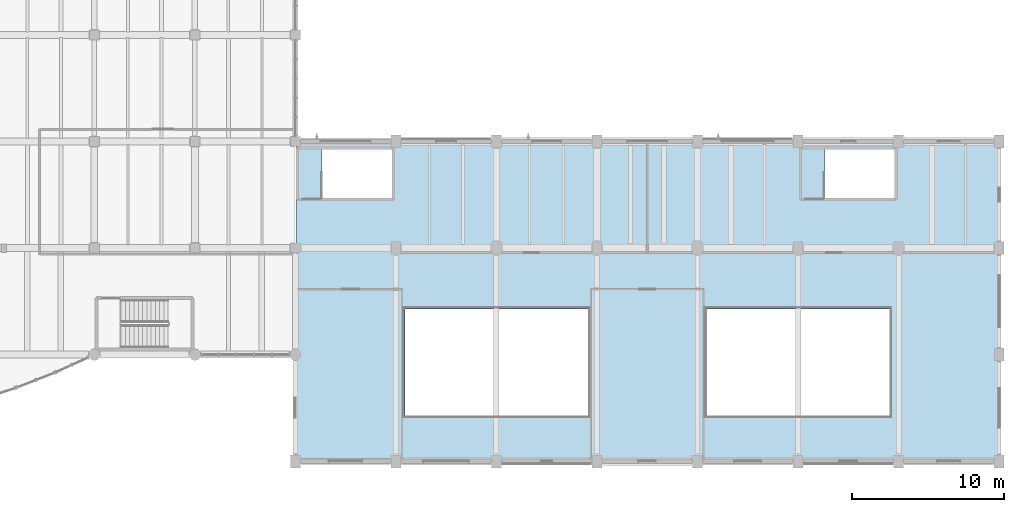
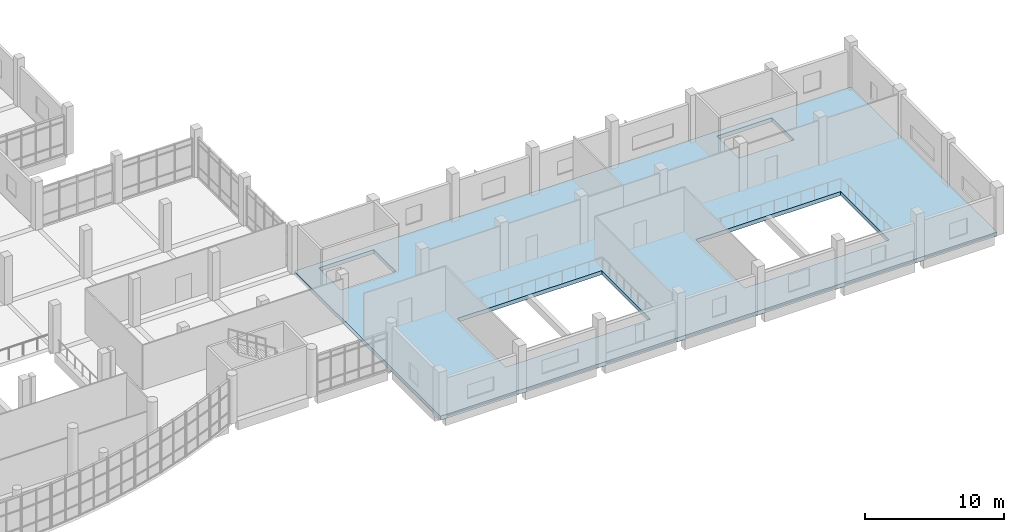
# One storey, part 41 of 68: 1 slab.
"""IFC4 building model written with IfcOpenShell, lengths in metres."""

import ifcopenshell
import ifcopenshell.guid

model = None  # the IFC model being written
_history = None  # IfcOwnerHistory: only IFC2X3 demands one
_inside = {}  # id of a spatial element -> (the spatial element, [elements in it])
_under = {}  # id of a project, library or spatial element -> (it, [spatial elements below it])
_declared = {}  # id of a project -> (the project, [libraries it declares])
_typed = {}  # id of a type object -> (the type object, [elements of that type])
_made_of = {}  # id of a material, layer set ... -> (it, [elements and type objects made of it])


def new_model(schema):
    """Start an empty IFC model of exactly this schema.

    Asked for "IFC4X3", IfcOpenShell would pick the latest addendum, in which some entities
    have other attributes; the version numbers below select the first issue.
    IFC2X3 requires an IfcOwnerHistory on every rooted entity: one is made here for all.
    """
    global model, _history
    if schema == "IFC4X3":
        model = ifcopenshell.file(schema_version=(4, 3, 0, 0))
    else:
        model = ifcopenshell.file(schema=schema)
    _inside.clear()
    _under.clear()
    _declared.clear()
    _typed.clear()
    _made_of.clear()
    _history = None
    if model.schema == "IFC2X3":
        org = make("IfcOrganization", Name="unknown")
        user = make(
            "IfcPersonAndOrganization",
            ThePerson=make("IfcPerson", FamilyName="unknown"),
            TheOrganization=org,
        )
        app = make(
            "IfcApplication",
            ApplicationDeveloper=org,
            Version="unknown",
            ApplicationFullName="unknown",
            ApplicationIdentifier="unknown",
        )
        _history = make(
            "IfcOwnerHistory",
            OwningUser=user,
            OwningApplication=app,
            ChangeAction="ADDED",
            CreationDate=0,
        )
    return model


def make(cls, **values):
    """One entity of the class cls with the attributes given. An attribute that is None is left unset."""
    return model.create_entity(
        cls, **{name: value for name, value in values.items() if value is not None}
    )


def rooted(cls, **values):
    """An entity with a GlobalId (a new one), such as an element, a storey or a relation."""
    return make(cls, GlobalId=ifcopenshell.guid.new(), OwnerHistory=_history, **values)


def si_unit(unit_type, name, prefix=None):
    """IfcSIUnit, for example si_unit("LENGTHUNIT", "METRE", prefix="MILLI")."""
    return make("IfcSIUnit", UnitType=unit_type, Prefix=prefix, Name=name)


def assignment(units):
    """IfcUnitAssignment: the units of a project."""
    return None if units is None else make("IfcUnitAssignment", Units=units)


def point(xyz):
    """IfcCartesianPoint."""
    return None if xyz is None else make("IfcCartesianPoint", Coordinates=xyz)


def direction(xyz):
    """IfcDirection."""
    return None if xyz is None else make("IfcDirection", DirectionRatios=xyz)


def frame(location, z_axis=None, x_axis=None):
    """IfcAxis2Placement3D, a coordinate frame: its origin and axes. An axis left out is left unset."""
    return make(
        "IfcAxis2Placement3D",
        Location=point(location),
        Axis=direction(z_axis),
        RefDirection=direction(x_axis),
    )


def origin():
    """The frame at (0, 0, 0) with its axes left unset."""
    return frame((0.0, 0.0, 0.0))


def place(relative_to, where):
    """IfcLocalPlacement: puts the frame where relative to a parent placement (None: the world)."""
    return make(
        "IfcLocalPlacement", PlacementRelTo=relative_to, RelativePlacement=where
    )


def context(
    kind, dimensions, precision=None, world=None, true_north=None, identifier=None
):
    """IfcGeometricRepresentationContext, for example the 3D "Model" context."""
    return make(
        "IfcGeometricRepresentationContext",
        ContextIdentifier=identifier,
        ContextType=kind,
        CoordinateSpaceDimension=dimensions,
        Precision=precision,
        WorldCoordinateSystem=world,
        TrueNorth=true_north,
    )


def subcontext(parent, identifier, kind, view, scale=None):
    """IfcGeometricRepresentationSubContext, for example "Body" below "Model"."""
    return make(
        "IfcGeometricRepresentationSubContext",
        ContextIdentifier=identifier,
        ContextType=kind,
        ParentContext=parent,
        TargetScale=scale,
        TargetView=view,
    )


def project(units=None, contexts=None):
    """IfcProject with its units and contexts."""
    return rooted(
        "IfcProject",
        Name="project",
        RepresentationContexts=contexts,
        UnitsInContext=assignment(units),
    )


def spatial(cls, under=None, at=None, **own):
    """A site, building, storey or space (cls), placed at a placement, below another one or the project."""
    s = rooted(cls, ObjectPlacement=at, **own)
    if under is not None:
        _under.setdefault(under.id(), (under, []))[1].append(s)
    return s


def polyline(points):
    """IfcPolyline through the points."""
    return make("IfcPolyline", Points=[point(p) for p in points])


def outline(outer, holes=None, kind="AREA"):
    """IfcArbitraryClosedProfileDef: a profile drawn as a closed curve; with holes, ...WithVoids."""
    if holes is None:
        return make("IfcArbitraryClosedProfileDef", ProfileType=kind, OuterCurve=outer)
    return make(
        "IfcArbitraryProfileDefWithVoids",
        ProfileType=kind,
        OuterCurve=outer,
        InnerCurves=holes,
    )


def extrude(swept, where, along, depth):
    """IfcExtrudedAreaSolid: the profile swept, set in the frame where, extruded along a direction by depth."""
    return make(
        "IfcExtrudedAreaSolid",
        SweptArea=swept,
        Position=where,
        ExtrudedDirection=direction(along),
        Depth=depth,
    )


def shape(context_of_items, identifier, shape_type, items):
    """IfcShapeRepresentation: the items that make up one representation, for example the "Body"."""
    return make(
        "IfcShapeRepresentation",
        ContextOfItems=context_of_items,
        RepresentationIdentifier=identifier,
        RepresentationType=shape_type,
        Items=items,
    )


def material(Name=None, Category=None):
    """IfcMaterial."""
    return make("IfcMaterial", Name=Name, Category=Category)


def layer(
    of_material, thickness, ventilated=None, Name=None, Category=None, Priority=None
):
    """IfcMaterialLayer: one layer of a wall or slab, of a material (None: an air gap)."""
    return make(
        "IfcMaterialLayer",
        Material=of_material,
        LayerThickness=thickness,
        IsVentilated=ventilated,
        Name=Name,
        Category=Category,
        Priority=Priority,
    )


def layer_set(layers, Name=None):
    """IfcMaterialLayerSet."""
    return make("IfcMaterialLayerSet", MaterialLayers=layers, LayerSetName=Name)


def made_of(thing, what):
    """Note that an element or type object is made of a material, layer set ...; save() writes the relation."""
    if what is not None:
        _made_of.setdefault(what.id(), (what, []))[1].append(thing)
    return thing


def type_object(cls, material=None, **own):
    """A type object (cls), such as IfcWallType, which elements share."""
    return made_of(rooted(cls, **own), material)


def element(
    cls,
    number,
    at=None,
    inside=None,
    cuts=None,
    type_object=None,
    material=None,
    context=None,
    identifier="Body",
    shape_type=None,
    held_by="IfcProductDefinitionShape",
    body=None,
    shapes=None,
    **own,
):
    """One element of the class cls, such as IfcWall. Its Tag is "e" and its number.

    at: its placement. inside: the storey or other place that contains it. cuts: it is an
    opening in that element (IfcRelVoidsElement). A single representation is given by context,
    identifier, shape_type and body (its items); several are given by shapes. held_by: the class
    of the entity that holds the representations. save() writes the other relations.
    """
    e = rooted(cls, Tag="e%d" % number, ObjectPlacement=at, **own)
    if body is not None:
        shapes = [shape(context, identifier, shape_type, body)]
    if shapes is not None:
        e.Representation = make(held_by, Representations=shapes)
    if inside is not None:
        _inside.setdefault(inside.id(), (inside, []))[1].append(e)
    if cuts is not None:
        rooted(
            "IfcRelVoidsElement", RelatingBuildingElement=cuts, RelatedOpeningElement=e
        )
    if type_object is not None:
        _typed.setdefault(type_object.id(), (type_object, []))[1].append(e)
    return made_of(e, material)


def aggregate(whole, parts):
    """IfcRelAggregates: a whole, such as a stair, and the parts it consists of."""
    return rooted("IfcRelAggregates", RelatingObject=whole, RelatedObjects=parts)


def save(model, path):
    """Write the relations noted so far, then the file.

    IfcRelAggregates (storeys below a building ...), IfcRelContainedInSpatialStructure (elements
    in a storey), IfcRelDefinesByType, IfcRelAssociatesMaterial and IfcRelDeclares: one each for
    every whole, place, type object, material and project.
    """
    for whole, parts in _under.values():
        aggregate(whole, parts)
    for where, things in _inside.values():
        rooted(
            "IfcRelContainedInSpatialStructure",
            RelatedElements=things,
            RelatingStructure=where,
        )
    for kind, things in _typed.values():
        rooted("IfcRelDefinesByType", RelatedObjects=things, RelatingType=kind)
    for what, things in _made_of.values():
        rooted("IfcRelAssociatesMaterial", RelatedObjects=things, RelatingMaterial=what)
    for by, libraries in _declared.values():
        rooted("IfcRelDeclares", RelatingContext=by, RelatedDefinitions=libraries)
    model.write(path)


model = new_model("IFC4")

# Units and contexts
model_context = context("Model", 3, precision=1e-05, world=origin(), true_north=direction((0.0, 1.0)))
body_context = subcontext(model_context, "Body", "Model", "MODEL_VIEW")
ifc_project = project(units=[si_unit("LENGTHUNIT", "METRE"), si_unit("AREAUNIT", "SQUARE_METRE"), si_unit("VOLUMEUNIT", "CUBIC_METRE"), si_unit("PLANEANGLEUNIT", "RADIAN"), si_unit("MASSUNIT", "GRAM", prefix="KILO")], contexts=[model_context])

# Site, building, storey
site_placement = place(None, origin())
site = spatial("IfcSite", under=ifc_project, at=site_placement, CompositionType="ELEMENT")
building_placement = place(site_placement, origin())
building = spatial("IfcBuilding", under=site, at=building_placement, Name="Ciguamira Faculty of Natural Sciences", CompositionType="ELEMENT")
storey_placement = place(building_placement, frame((0.0, 0.0, 4.199951171875)))
storey = spatial("IfcBuildingStorey", under=building, at=storey_placement, Name="L01", CompositionType="ELEMENT", Elevation=4.199951171875)

# Slab
ifc_material = material(Name="Concrete C40/50", Category="concrete")
ifc_layer = layer(ifc_material, 0.35009765625, Name="Concrete C40/50")
ifc_layer_set = layer_set([ifc_layer], Name="Concrete C40/50")
slab_type = type_object("IfcSlabType", Name="Slab_SF-01_350", PredefinedType="FLOOR", material=ifc_layer_set)
slab_placement = place(storey_placement, frame((0.0, 0.0, -0.349853515625)))
element("IfcSlab", 1, at=slab_placement, inside=storey, type_object=slab_type, Name="L01 V1 structural slab", PredefinedType="FLOOR", context=body_context, shape_type="SweptSolid", body=[
    extrude(outline(polyline([(123.35009765625, 3.0), (169.5, 3.0), (169.5, 24.0), (123.35009765625, 24.0), (123.35009765625, 3.0)]), holes=[polyline([(125.06005859375, 20.300048828125), (129.64990234375, 20.300048828125), (129.64990234375, 23.4599609375), (125.06005859375, 23.4599609375), (125.06005859375, 20.300048828125)]), polyline([(158.06005859375, 20.300048828125), (162.64990234375, 20.300048828125), (162.64990234375, 23.4599609375), (158.06005859375, 23.4599609375), (158.06005859375, 20.300048828125)]), polyline([(130.5, 6.0), (142.5, 6.0), (142.5, 13.0), (130.5, 13.0), (130.5, 6.0)]), polyline([(150.300048828125, 6.0), (162.300048828125, 6.0), (162.300048828125, 13.0), (150.300048828125, 13.0), (150.300048828125, 6.0)])]), origin(), (0.0, 0.0, 1.0), 0.349853515625),
])

save(model, "model.ifc")
